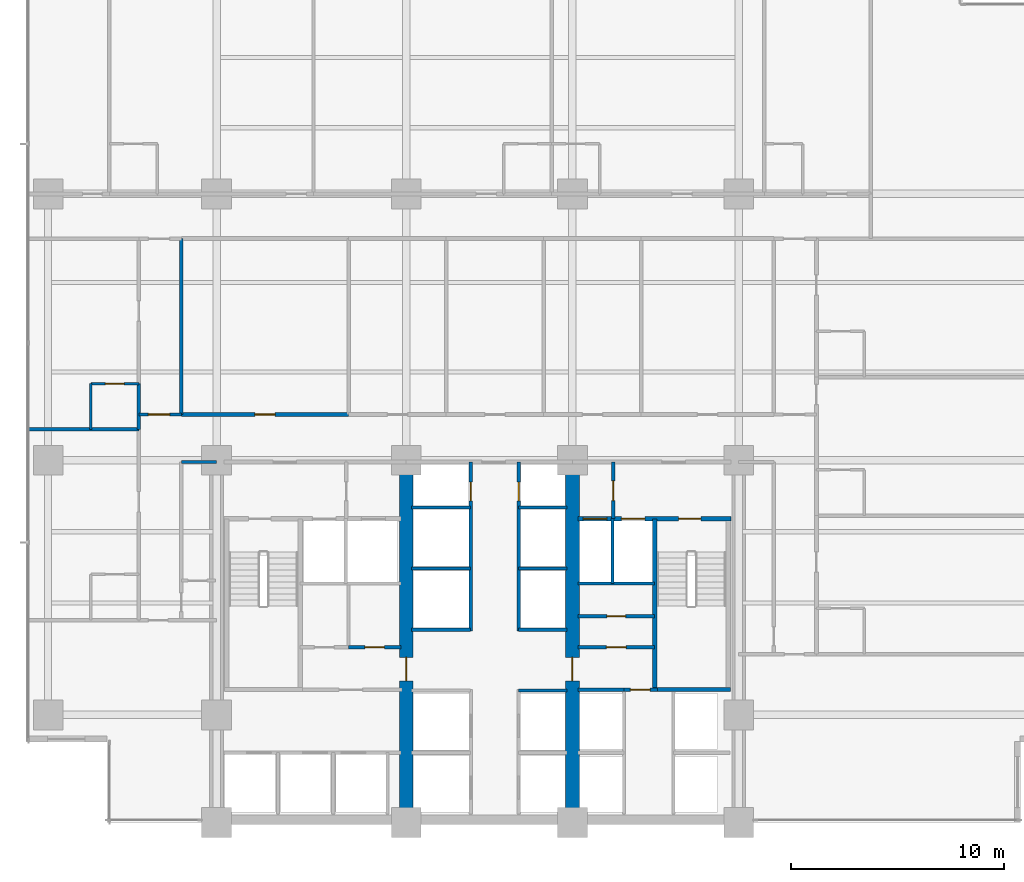
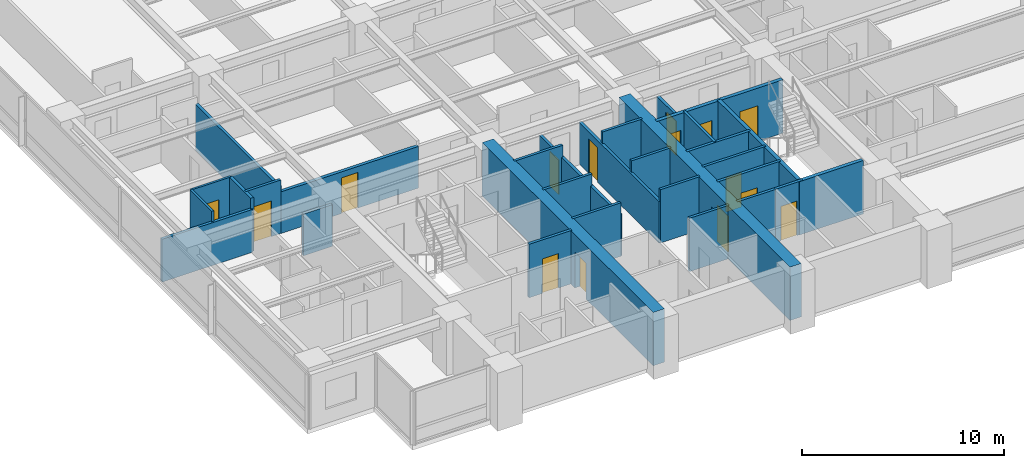
# One storey, part 8 of 17: 30 walls, 15 doors, 15 openings.
"""IFC4 building model written with IfcOpenShell, lengths in metres."""

from ifc_helpers import new_model, si_unit, direction, frame, frame_2d, origin, place, context, subcontext, project, spatial, rectangle, extrude, material, layer, layer_set, type_object, element, fill, save


model = new_model("IFC4")

# Units and contexts
model_context = context("Model", 3, precision=1e-05, world=origin(), true_north=direction((0.0, 1.0)))
body_context = subcontext(model_context, "Body", "Model", "MODEL_VIEW")
ifc_project = project(units=[si_unit("LENGTHUNIT", "METRE"), si_unit("AREAUNIT", "SQUARE_METRE"), si_unit("VOLUMEUNIT", "CUBIC_METRE"), si_unit("PLANEANGLEUNIT", "RADIAN"), si_unit("MASSUNIT", "GRAM", prefix="KILO")], contexts=[model_context])

# Site, building, storey
site_placement = place(None, origin())
site = spatial("IfcSite", under=ifc_project, at=site_placement, CompositionType="ELEMENT")
building_placement = place(site_placement, origin())
building = spatial("IfcBuilding", under=site, at=building_placement, Name="Qalmaran Belvedere Hotel", CompositionType="ELEMENT")
storey_placement = place(building_placement, frame((0.0, 0.0, 47.39990234375)))
storey = spatial("IfcBuildingStorey", under=building, at=storey_placement, Name="L11", CompositionType="ELEMENT", Elevation=47.39990234375)

# Wall, opening, door
ifc_material_1 = material(Name="Concrete C60/75", Category="concrete")
ifc_layer_1 = layer(ifc_material_1, 0.64990234375, Name="Concrete C60/75")
ifc_layer_set_1 = layer_set([ifc_layer_1], Name="Concrete C60/75")
wall_type_1 = type_object("IfcWallType", Name="WL-CORE-650-C60", PredefinedType="SHEAR", material=ifc_layer_set_1)
wall_1_placement = place(storey_placement, frame((29.199951171875, 3.5, 0.0), z_axis=(0.0, 0.0, 1.0), x_axis=(0.0, 1.0, 0.0)))
wall_1 = element("IfcWall", 1, at=wall_1_placement, inside=storey, type_object=wall_type_1, Name="L11 Core West Spine Shear Wall", PredefinedType="SHEAR", context=body_context, shape_type="SweptSolid", body=[
    extrude(rectangle(XDim=16.89990234375, YDim=0.64990234375, at=frame_2d((8.449951171875, 0.0))), origin(), (0.0, 0.0, 1.0), 3.22021484375),
])
opening_1_placement = place(wall_1_placement, frame((7.75, 0.0, 0.0), z_axis=(0.0, 0.0, 1.0), x_axis=(-1.0, 0.0, 0.0)))
opening_1 = element("IfcOpeningElement", 2, at=opening_1_placement, cuts=wall_1, Name="Opening FD90", PredefinedType="OPENING", context=body_context, shape_type="SweptSolid", body=[
    extrude(rectangle(XDim=1.10009765625, YDim=2.14990234375, at=frame_2d((0.550048828125, 1.074951171875))), frame((0.0, 0.3349609375, 0.0), z_axis=(0.0, -1.0, 0.0), x_axis=(1.0, 0.0, 0.0)), (0.0, 0.0, 1.0), 0.669921875),
])
ifc_material_2 = material(Name="Steel S355JR", Category="steel")
door_type_1 = type_object("IfcDoorType", Name="DR-FD90-1100X2150", OperationType="NOTDEFINED", PredefinedType="DOOR", material=ifc_material_2)
door_1_placement = place(opening_1_placement, origin())
door_1 = element("IfcDoor", 3, at=door_1_placement, inside=storey, type_object=door_type_1, Name="L11 Core West Cross-Lobby Door", OperationType="SINGLE_SWING_RIGHT", OverallHeight=2.14990234375, OverallWidth=1.10009765625, PredefinedType="DOOR", context=body_context, shape_type="SweptSolid", body=[
    extrude(rectangle(XDim=1.10009765625, YDim=2.14990234375, at=frame_2d((0.550048828125, 1.074951171875))), frame((0.0, 0.02490234375, 0.0), z_axis=(0.0, -1.0, 0.0), x_axis=(1.0, 0.0, 0.0)), (0.0, 0.0, 1.0), 0.050048828125),
])
fill(opening_1, door_1)

wall_2_placement = place(storey_placement, frame((37.0, 3.5, 0.0), z_axis=(0.0, 0.0, 1.0), x_axis=(0.0, 1.0, 0.0)))
wall_2 = element("IfcWall", 4, at=wall_2_placement, inside=storey, type_object=wall_type_1, Name="L11 Core East Spine Shear Wall", PredefinedType="SHEAR", context=body_context, shape_type="SweptSolid", body=[
    extrude(rectangle(XDim=16.89990234375, YDim=0.64990234375, at=frame_2d((8.449951171875, 0.0))), origin(), (0.0, 0.0, 1.0), 3.22021484375),
])
opening_2_placement = place(wall_2_placement, frame((6.64990234375, 0.0, 0.0)))
opening_2 = element("IfcOpeningElement", 5, at=opening_2_placement, cuts=wall_2, Name="Opening FD90", PredefinedType="OPENING", context=body_context, shape_type="SweptSolid", body=[
    extrude(rectangle(XDim=1.10009765625, YDim=2.14990234375, at=frame_2d((0.550048828125, 1.074951171875))), frame((0.0, 0.3349609375, 0.0), z_axis=(0.0, -1.0, 0.0), x_axis=(1.0, 0.0, 0.0)), (0.0, 0.0, 1.0), 0.669921875),
])
door_2_placement = place(opening_2_placement, origin())
door_2 = element("IfcDoor", 6, at=door_2_placement, inside=storey, type_object=door_type_1, Name="L11 Core East Cross-Lobby Door", OperationType="SINGLE_SWING_LEFT", OverallHeight=2.14990234375, OverallWidth=1.10009765625, PredefinedType="DOOR", context=body_context, shape_type="SweptSolid", body=[
    extrude(rectangle(XDim=1.10009765625, YDim=2.14990234375, at=frame_2d((0.550048828125, 1.074951171875))), frame((0.0, 0.02490234375, 0.0), z_axis=(0.0, -1.0, 0.0), x_axis=(1.0, 0.0, 0.0)), (0.0, 0.0, 1.0), 0.050048828125),
])
fill(opening_2, door_2)

ifc_material_3 = material(Name="Moisture-Resistant Gypsum")
ifc_layer_2 = layer(ifc_material_3, 0.1201171875, Name="Moisture-Resistant Gypsum")
ifc_layer_set_2 = layer_set([ifc_layer_2], Name="Moisture-Resistant Gypsum")
wall_type_2 = type_object("IfcWallType", Name="WL-INT-120-BATH", PredefinedType="PARTITIONING", material=ifc_layer_set_2)
wall_3_placement = place(storey_placement, frame((14.39990234375, 24.10009765625, 0.0), z_axis=(0.0, 0.0, 1.0), x_axis=(1.0, 0.0, 0.0)))
wall_3 = element("IfcWall", 7, at=wall_3_placement, inside=storey, type_object=wall_type_2, Name="L11 Partition WL-L11-WBN01", PredefinedType="PARTITIONING", context=body_context, shape_type="SweptSolid", body=[
    extrude(rectangle(XDim=2.25, YDim=0.1201171875, at=frame_2d((1.125, 0.0))), origin(), (0.0, 0.0, 1.0), 3.22021484375),
])
opening_3_placement = place(wall_3_placement, frame((1.56494140625, 0.0, 0.0), z_axis=(0.0, 0.0, 1.0), x_axis=(-1.0, 0.0, 0.0)))
opening_3 = element("IfcOpeningElement", 8, at=opening_3_placement, cuts=wall_3, Name="Opening D-BATH", PredefinedType="OPENING", context=body_context, shape_type="SweptSolid", body=[
    extrude(rectangle(XDim=0.8798828125, YDim=2.080078125, at=frame_2d((0.43994140625, 1.0400390625))), frame((0.0, 0.070068359375, 0.0), z_axis=(0.0, -1.0, 0.0), x_axis=(1.0, 0.0, 0.0)), (0.0, 0.0, 1.0), 0.14013671875),
])
ifc_material_4 = material(Name="Engineered Oak Veneer")
door_type_2 = type_object("IfcDoorType", Name="DR-INT-BATH-880X2080", OperationType="NOTDEFINED", PredefinedType="DOOR", material=ifc_material_4)
door_3_placement = place(opening_3_placement, origin())
door_3 = element("IfcDoor", 9, at=door_3_placement, inside=storey, type_object=door_type_2, Name="L11 W Ensuite Door 02", OperationType="SINGLE_SWING_RIGHT", OverallHeight=2.080078125, OverallWidth=0.8798828125, PredefinedType="DOOR", context=body_context, shape_type="SweptSolid", body=[
    extrude(rectangle(XDim=0.8798828125, YDim=2.080078125, at=frame_2d((0.43994140625, 1.0400390625))), frame((0.0, 0.02490234375, 0.0), z_axis=(0.0, -1.0, 0.0), x_axis=(1.0, 0.0, 0.0)), (0.0, 0.0, 1.0), 0.050048828125),
])
fill(opening_3, door_3)

# Walls
wall_4_placement = place(storey_placement, frame((14.39990234375, 21.949951171875, 0.0), z_axis=(0.0, 0.0, 1.0), x_axis=(0.0, 1.0, 0.0)))
element("IfcWall", 10, at=wall_4_placement, inside=storey, type_object=wall_type_2, Name="L11 Partition WL-L11-WBS01", PredefinedType="PARTITIONING", context=body_context, shape_type="SweptSolid", body=[
    extrude(rectangle(XDim=2.150146484375, YDim=0.1201171875, at=frame_2d((1.0751953125, 0.0))), origin(), (0.0, 0.0, 1.0), 3.22021484375),
])
ifc_material_5 = material(Name="Gypsum Stud Partition")
ifc_layer_3 = layer(ifc_material_5, 0.14990234375, Name="Gypsum Stud Partition")
ifc_layer_set_3 = layer_set([ifc_layer_3], Name="Gypsum Stud Partition")
wall_type_3 = type_object("IfcWallType", Name="WL-INT-150-EI120", PredefinedType="PARTITIONING", material=ifc_layer_set_3)
wall_5_placement = place(storey_placement, frame((38.8798828125, 14.719970703125, 0.0), z_axis=(0.0, 0.0, 1.0), x_axis=(0.0, 1.0, 0.0)))
element("IfcWall", 11, at=wall_5_placement, inside=storey, type_object=wall_type_3, Name="L11 Partition WL-FF2M-L11", PredefinedType="PARTITIONING", context=body_context, shape_type="SweptSolid", body=[
    extrude(rectangle(XDim=3.0400390625, YDim=0.14990234375, at=frame_2d((1.52001953125, 0.0))), origin(), (0.0, 0.0, 1.0), 3.22021484375),
])
wall_6_placement = place(storey_placement, frame((34.47998046875, 9.699951171875, 0.0), z_axis=(0.0, 0.0, 1.0), x_axis=(1.0, 0.0, 0.0)))
element("IfcWall", 12, at=wall_6_placement, inside=storey, type_object=wall_type_3, Name="L11 Partition WL-PLE-L11-97", PredefinedType="PARTITIONING", context=body_context, shape_type="SweptSolid", body=[
    extrude(rectangle(XDim=2.27001953125, YDim=0.14990234375, at=frame_2d((1.135009765625, 0.0))), origin(), (0.0, 0.0, 1.0), 3.22021484375),
])
wall_7_placement = place(storey_placement, frame((29.449951171875, 12.550048828125, 0.0), z_axis=(0.0, 0.0, 1.0), x_axis=(1.0, 0.0, 0.0)))
element("IfcWall", 13, at=wall_7_placement, inside=storey, type_object=wall_type_3, Name="L11 Partition WL-PMW-L11-125", PredefinedType="PARTITIONING", context=body_context, shape_type="SweptSolid", body=[
    extrude(rectangle(XDim=2.77001953125, YDim=0.14990234375, at=frame_2d((1.385009765625, 0.0))), origin(), (0.0, 0.0, 1.0), 3.22021484375),
])
wall_8_placement = place(storey_placement, frame((34.47998046875, 12.550048828125, 0.0), z_axis=(0.0, 0.0, 1.0), x_axis=(1.0, 0.0, 0.0)))
element("IfcWall", 14, at=wall_8_placement, inside=storey, type_object=wall_type_3, Name="L11 Partition WL-PME-L11-125", PredefinedType="PARTITIONING", context=body_context, shape_type="SweptSolid", body=[
    extrude(rectangle(XDim=2.27001953125, YDim=0.14990234375, at=frame_2d((1.135009765625, 0.0))), origin(), (0.0, 0.0, 1.0), 3.22021484375),
])
wall_9_placement = place(storey_placement, frame((29.449951171875, 15.419921875, 0.0), z_axis=(0.0, 0.0, 1.0), x_axis=(1.0, 0.0, 0.0)))
element("IfcWall", 15, at=wall_9_placement, inside=storey, type_object=wall_type_3, Name="L11 Partition WL-PMW-L11-154", PredefinedType="PARTITIONING", context=body_context, shape_type="SweptSolid", body=[
    extrude(rectangle(XDim=2.77001953125, YDim=0.14990234375, at=frame_2d((1.385009765625, 0.0))), origin(), (0.0, 0.0, 1.0), 3.22021484375),
])
wall_10_placement = place(storey_placement, frame((34.47998046875, 15.419921875, 0.0), z_axis=(0.0, 0.0, 1.0), x_axis=(1.0, 0.0, 0.0)))
element("IfcWall", 16, at=wall_10_placement, inside=storey, type_object=wall_type_3, Name="L11 Partition WL-PME-L11-154", PredefinedType="PARTITIONING", context=body_context, shape_type="SweptSolid", body=[
    extrude(rectangle(XDim=2.27001953125, YDim=0.14990234375, at=frame_2d((1.135009765625, 0.0))), origin(), (0.0, 0.0, 1.0), 3.22021484375),
])
wall_11_placement = place(storey_placement, frame((29.449951171875, 18.280029296875, 0.0), z_axis=(0.0, 0.0, 1.0), x_axis=(1.0, 0.0, 0.0)))
element("IfcWall", 17, at=wall_11_placement, inside=storey, type_object=wall_type_3, Name="L11 Partition WL-PMW-L11-182", PredefinedType="PARTITIONING", context=body_context, shape_type="SweptSolid", body=[
    extrude(rectangle(XDim=2.77001953125, YDim=0.14990234375, at=frame_2d((1.385009765625, 0.0))), origin(), (0.0, 0.0, 1.0), 3.22021484375),
])
wall_12_placement = place(storey_placement, frame((34.47998046875, 18.280029296875, 0.0), z_axis=(0.0, 0.0, 1.0), x_axis=(1.0, 0.0, 0.0)))
element("IfcWall", 18, at=wall_12_placement, inside=storey, type_object=wall_type_3, Name="L11 Partition WL-PME-L11-182", PredefinedType="PARTITIONING", context=body_context, shape_type="SweptSolid", body=[
    extrude(rectangle(XDim=2.27001953125, YDim=0.14990234375, at=frame_2d((1.135009765625, 0.0))), origin(), (0.0, 0.0, 1.0), 3.22021484375),
])

# Wall, opening, door
ifc_layer_4 = layer(ifc_material_5, 0.14990234375, Name="Gypsum Stud Partition")
ifc_layer_set_4 = layer_set([ifc_layer_4], Name="Gypsum Stud Partition")
wall_type_4 = type_object("IfcWallType", Name="WL-INT-150-EI60", PredefinedType="PARTITIONING", material=ifc_layer_set_4)
wall_13_placement = place(storey_placement, frame((37.25, 13.18505859375, 0.0), z_axis=(0.0, 0.0, 1.0), x_axis=(1.0, 0.0, 0.0)))
wall_13 = element("IfcWall", 19, at=wall_13_placement, inside=storey, type_object=wall_type_4, Name="L11 Partition WL-L11-KEHM", PredefinedType="PARTITIONING", context=body_context, shape_type="SweptSolid", body=[
    extrude(rectangle(XDim=3.610107421875, YDim=0.14990234375, at=frame_2d((1.80517578125, 0.0))), origin(), (0.0, 0.0, 1.0), 3.22021484375),
])
opening_4_placement = place(wall_13_placement, frame((1.364990234375, 0.0, 0.0)))
opening_4 = element("IfcOpeningElement", 20, at=opening_4_placement, cuts=wall_13, Name="Opening FD60B", PredefinedType="OPENING", context=body_context, shape_type="SweptSolid", body=[
    extrude(rectangle(XDim=0.8798828125, YDim=2.080078125, at=frame_2d((0.43994140625, 1.0400390625))), frame((0.0, 0.0849609375, 0.0), z_axis=(0.0, -1.0, 0.0), x_axis=(1.0, 0.0, 0.0)), (0.0, 0.0, 1.0), 0.169921875),
])
door_type_3 = type_object("IfcDoorType", Name="DR-FD60B-880X2080", OperationType="NOTDEFINED", PredefinedType="DOOR", material=ifc_material_2)
door_4_placement = place(opening_4_placement, origin())
door_4 = element("IfcDoor", 21, at=door_4_placement, inside=storey, type_object=door_type_3, Name="L11 Hotel Linen Closet Door", OperationType="SINGLE_SWING_RIGHT", OverallHeight=2.080078125, OverallWidth=0.8798828125, PredefinedType="DOOR", context=body_context, shape_type="SweptSolid", body=[
    extrude(rectangle(XDim=0.8798828125, YDim=2.080078125, at=frame_2d((0.43994140625, 1.0400390625))), frame((0.0, 0.02490234375, 0.0), z_axis=(0.0, -1.0, 0.0), x_axis=(1.0, 0.0, 0.0)), (0.0, 0.0, 1.0), 0.050048828125),
])
fill(opening_4, door_4)

wall_14_placement = place(storey_placement, frame((16.64990234375, 22.64990234375, 0.0), z_axis=(0.0, 0.0, 1.0), x_axis=(1.0, 0.0, 0.0)))
wall_14 = element("IfcWall", 22, at=wall_14_placement, inside=storey, type_object=wall_type_4, Name="L11 Partition WL-L11-XCW1", PredefinedType="PARTITIONING", context=body_context, shape_type="SweptSolid", body=[
    extrude(rectangle(XDim=2.0, YDim=0.14990234375, at=frame_2d((1.0, 0.0))), origin(), (0.0, 0.0, 1.0), 3.22021484375),
])
opening_5_placement = place(wall_14_placement, frame((0.449951171875, 0.0, 0.0)))
opening_5 = element("IfcOpeningElement", 23, at=opening_5_placement, cuts=wall_14, Name="Opening FD90B", PredefinedType="OPENING", context=body_context, shape_type="SweptSolid", body=[
    extrude(rectangle(XDim=1.0, YDim=2.14990234375, at=frame_2d((0.5, 1.074951171875))), frame((0.0, 0.0849609375, 0.0), z_axis=(0.0, -1.0, 0.0), x_axis=(1.0, 0.0, 0.0)), (0.0, 0.0, 1.0), 0.169921875),
])
door_type_4 = type_object("IfcDoorType", Name="DR-FD90B-1000X2150", OperationType="NOTDEFINED", PredefinedType="DOOR", material=ifc_material_2)
door_5_placement = place(opening_5_placement, origin())
door_5 = element("IfcDoor", 24, at=door_5_placement, inside=storey, type_object=door_type_4, Name="L11 West Corridor Smoke Door S", OperationType="SINGLE_SWING_LEFT", OverallHeight=2.14990234375, OverallWidth=1.0, PredefinedType="DOOR", context=body_context, shape_type="SweptSolid", body=[
    extrude(rectangle(XDim=1.0, YDim=2.14990234375, at=frame_2d((0.5, 1.074951171875))), frame((0.0, 0.02490234375, 0.0), z_axis=(0.0, -1.0, 0.0), x_axis=(1.0, 0.0, 0.0)), (0.0, 0.0, 1.0), 0.050048828125),
])
fill(opening_5, door_5)

ifc_layer_5 = layer(ifc_material_5, 0.159912109375, Name="Gypsum Stud Partition")
ifc_layer_set_5 = layer_set([ifc_layer_5], Name="Gypsum Stud Partition")
wall_type_5 = type_object("IfcWallType", Name="WL-INT-160-EI120", PredefinedType="PARTITIONING", material=ifc_layer_set_5)
wall_15_placement = place(storey_placement, frame((38.919921875, 17.760009765625, 0.0), z_axis=(0.0, 0.0, 1.0), x_axis=(0.0, 1.0, 0.0)))
wall_15 = element("IfcWall", 25, at=wall_15_placement, inside=storey, type_object=wall_type_5, Name="L11 Partition WL-FFSV2-L11", PredefinedType="PARTITIONING", context=body_context, shape_type="SweptSolid", body=[
    extrude(rectangle(XDim=2.659912109375, YDim=0.159912109375, at=frame_2d((1.330078125, 0.0))), origin(), (0.0, 0.0, 1.0), 2.510009765625),
])
opening_6_placement = place(wall_15_placement, frame((1.77001953125, 0.0, 0.0), z_axis=(0.0, 0.0, 1.0), x_axis=(-1.0, 0.0, 0.0)))
opening_6 = element("IfcOpeningElement", 26, at=opening_6_placement, cuts=wall_15, Name="Opening FD60S1", PredefinedType="OPENING", context=body_context, shape_type="SweptSolid", body=[
    extrude(rectangle(XDim=0.919921875, YDim=2.080078125, at=frame_2d((0.4599609375, 1.0400390625))), frame((0.0, 0.08984375, 0.0), z_axis=(0.0, -1.0, 0.0), x_axis=(1.0, 0.0, 0.0)), (0.0, 0.0, 1.0), 0.179931640625),
])
door_type_5 = type_object("IfcDoorType", Name="DR-FD60S-920X2080", OperationType="NOTDEFINED", PredefinedType="DOOR", material=ifc_material_4)
door_6_placement = place(opening_6_placement, origin())
door_6 = element("IfcDoor", 27, at=door_6_placement, inside=storey, type_object=door_type_5, Name="L11 Service Lobby East Door", OperationType="SINGLE_SWING_LEFT", OverallHeight=2.080078125, OverallWidth=0.919921875, PredefinedType="DOOR", context=body_context, shape_type="SweptSolid", body=[
    extrude(rectangle(XDim=0.919921875, YDim=2.080078125, at=frame_2d((0.4599609375, 1.0400390625))), frame((0.0, 0.02490234375, 0.0), z_axis=(0.0, -1.0, 0.0), x_axis=(1.0, 0.0, 0.0)), (0.0, 0.0, 1.0), 0.050048828125),
])
fill(opening_6, door_6)

# Walls
wall_16_placement = place(storey_placement, frame((37.25, 14.719970703125, 0.0), z_axis=(0.0, 0.0, 1.0), x_axis=(1.0, 0.0, 0.0)))
element("IfcWall", 28, at=wall_16_placement, inside=storey, type_object=wall_type_5, Name="L11 Partition WL-FF2S-L11", PredefinedType="PARTITIONING", context=body_context, shape_type="SweptSolid", body=[
    extrude(rectangle(XDim=3.610107421875, YDim=0.159912109375, at=frame_2d((1.80517578125, 0.0))), origin(), (0.0, 0.0, 1.0), 3.22021484375),
])
wall_17_placement = place(storey_placement, frame((37.25, 9.739990234375, 0.0), z_axis=(0.0, 0.0, 1.0), x_axis=(1.0, 0.0, 0.0)))
element("IfcWall", 29, at=wall_17_placement, inside=storey, type_object=wall_type_5, Name="L11 Partition WL-PHNW-L11", PredefinedType="PARTITIONING", context=body_context, shape_type="SweptSolid", body=[
    extrude(rectangle(XDim=2.169921875, YDim=0.159912109375, at=frame_2d((1.0849609375, 0.0))), origin(), (0.0, 0.0, 1.0), 3.22021484375),
])

# Wall, opening, door
wall_18_placement = place(storey_placement, frame((39.419921875, 9.739990234375, 0.0), z_axis=(0.0, 0.0, 1.0), x_axis=(1.0, 0.0, 0.0)))
wall_18 = element("IfcWall", 30, at=wall_18_placement, inside=storey, type_object=wall_type_5, Name="L11 Partition WL-PHNL-L11", PredefinedType="PARTITIONING", context=body_context, shape_type="SweptSolid", body=[
    extrude(rectangle(XDim=1.56005859375, YDim=0.159912109375, at=frame_2d((0.780029296875, 0.0))), origin(), (0.0, 0.0, 1.0), 3.22021484375),
])
opening_7_placement = place(wall_18_placement, frame((0.300048828125, 0.0, 0.0)))
opening_7 = element("IfcOpeningElement", 31, at=opening_7_placement, cuts=wall_18, Name="Opening FD60S1", PredefinedType="OPENING", context=body_context, shape_type="SweptSolid", body=[
    extrude(rectangle(XDim=0.919921875, YDim=2.080078125, at=frame_2d((0.4599609375, 1.0400390625))), frame((0.0, 0.08984375, 0.0), z_axis=(0.0, -1.0, 0.0), x_axis=(1.0, 0.0, 0.0)), (0.0, 0.0, 1.0), 0.179931640625),
])
door_7_placement = place(opening_7_placement, origin())
door_7 = element("IfcDoor", 32, at=door_7_placement, inside=storey, type_object=door_type_5, Name="L11 High-Rise Lift Lobby Passage Door", OperationType="SINGLE_SWING_RIGHT", OverallHeight=2.080078125, OverallWidth=0.919921875, PredefinedType="DOOR", context=body_context, shape_type="SweptSolid", body=[
    extrude(rectangle(XDim=0.919921875, YDim=2.080078125, at=frame_2d((0.4599609375, 1.0400390625))), frame((0.0, 0.02490234375, 0.0), z_axis=(0.0, -1.0, 0.0), x_axis=(1.0, 0.0, 0.0)), (0.0, 0.0, 1.0), 0.050048828125),
])
fill(opening_7, door_7)

wall_19_placement = place(storey_placement, frame((32.219970703125, 12.5, 0.0), z_axis=(0.0, 0.0, 1.0), x_axis=(0.0, 1.0, 0.0)))
wall_19 = element("IfcWall", 33, at=wall_19_placement, inside=storey, type_object=wall_type_5, Name="L11 Partition WL-CLBWN-L11", PredefinedType="PARTITIONING", context=body_context, shape_type="SweptSolid", body=[
    extrude(rectangle(XDim=7.919921875, YDim=0.159912109375, at=frame_2d((3.9599609375, 0.0))), origin(), (0.0, 0.0, 1.0), 2.510009765625),
])
opening_8_placement = place(wall_19_placement, frame((6.10009765625, 0.0, 0.0)))
opening_8 = element("IfcOpeningElement", 34, at=opening_8_placement, cuts=wall_19, Name="Opening FD60B", PredefinedType="OPENING", context=body_context, shape_type="SweptSolid", body=[
    extrude(rectangle(XDim=0.8798828125, YDim=2.080078125, at=frame_2d((0.43994140625, 1.0400390625))), frame((0.0, 0.08984375, 0.0), z_axis=(0.0, -1.0, 0.0), x_axis=(1.0, 0.0, 0.0)), (0.0, 0.0, 1.0), 0.179931640625),
])
door_8_placement = place(opening_8_placement, origin())
door_8 = element("IfcDoor", 35, at=door_8_placement, inside=storey, type_object=door_type_3, Name="L11 West Riser Access Door", OperationType="SINGLE_SWING_LEFT", OverallHeight=2.080078125, OverallWidth=0.8798828125, PredefinedType="DOOR", context=body_context, shape_type="SweptSolid", body=[
    extrude(rectangle(XDim=0.8798828125, YDim=2.080078125, at=frame_2d((0.43994140625, 1.0400390625))), frame((0.0, 0.02490234375, 0.0), z_axis=(0.0, -1.0, 0.0), x_axis=(1.0, 0.0, 0.0)), (0.0, 0.0, 1.0), 0.050048828125),
])
fill(opening_8, door_8)

wall_20_placement = place(storey_placement, frame((34.47998046875, 12.5, 0.0), z_axis=(0.0, 0.0, 1.0), x_axis=(0.0, 1.0, 0.0)))
wall_20 = element("IfcWall", 36, at=wall_20_placement, inside=storey, type_object=wall_type_5, Name="L11 Partition WL-CLBEN-L11", PredefinedType="PARTITIONING", context=body_context, shape_type="SweptSolid", body=[
    extrude(rectangle(XDim=7.919921875, YDim=0.159912109375, at=frame_2d((3.9599609375, 0.0))), origin(), (0.0, 0.0, 1.0), 2.510009765625),
])
opening_9_placement = place(wall_20_placement, frame((6.97998046875, 0.0, 0.0), z_axis=(0.0, 0.0, 1.0), x_axis=(-1.0, 0.0, 0.0)))
opening_9 = element("IfcOpeningElement", 37, at=opening_9_placement, cuts=wall_20, Name="Opening FD60B", PredefinedType="OPENING", context=body_context, shape_type="SweptSolid", body=[
    extrude(rectangle(XDim=0.8798828125, YDim=2.080078125, at=frame_2d((0.43994140625, 1.0400390625))), frame((0.0, 0.08984375, 0.0), z_axis=(0.0, -1.0, 0.0), x_axis=(1.0, 0.0, 0.0)), (0.0, 0.0, 1.0), 0.179931640625),
])
door_9_placement = place(opening_9_placement, origin())
door_9 = element("IfcDoor", 38, at=door_9_placement, inside=storey, type_object=door_type_3, Name="L11 East Riser Access Door", OperationType="SINGLE_SWING_RIGHT", OverallHeight=2.080078125, OverallWidth=0.8798828125, PredefinedType="DOOR", context=body_context, shape_type="SweptSolid", body=[
    extrude(rectangle(XDim=0.8798828125, YDim=2.080078125, at=frame_2d((0.43994140625, 1.0400390625))), frame((0.0, 0.02490234375, 0.0), z_axis=(0.0, -1.0, 0.0), x_axis=(1.0, 0.0, 0.0)), (0.0, 0.0, 1.0), 0.050048828125),
])
fill(opening_9, door_9)

ifc_layer_6 = layer(ifc_material_5, 0.159912109375, Name="Gypsum Stud Partition")
ifc_layer_set_6 = layer_set([ifc_layer_6], Name="Gypsum Stud Partition")
wall_type_6 = type_object("IfcWallType", Name="WL-INT-160-EI60", PredefinedType="PARTITIONING", material=ifc_layer_set_6)
wall_21_placement = place(storey_placement, frame((26.490478515625, 11.719970703125, 0.0), z_axis=(0.0, 0.0, 1.0), x_axis=(1.0, 0.0, 0.0)))
wall_21 = element("IfcWall", 39, at=wall_21_placement, inside=storey, type_object=wall_type_6, Name="L11 Partition WL-L11-KWE2", PredefinedType="PARTITIONING", context=body_context, shape_type="SweptSolid", body=[
    extrude(rectangle(XDim=2.45947265625, YDim=0.159912109375, at=frame_2d((1.229736328125, 0.0))), origin(), (0.0, 0.0, 1.0), 3.22021484375),
])
opening_10_placement = place(wall_21_placement, frame((0.769775390625, 0.0, 0.0)))
opening_10 = element("IfcOpeningElement", 40, at=opening_10_placement, cuts=wall_21, Name="Opening FD60S1", PredefinedType="OPENING", context=body_context, shape_type="SweptSolid", body=[
    extrude(rectangle(XDim=0.919921875, YDim=2.080078125, at=frame_2d((0.4599609375, 1.0400390625))), frame((0.0, 0.08984375, 0.0), z_axis=(0.0, -1.0, 0.0), x_axis=(1.0, 0.0, 0.0)), (0.0, 0.0, 1.0), 0.179931640625),
])
door_10_placement = place(opening_10_placement, origin())
door_10 = element("IfcDoor", 41, at=door_10_placement, inside=storey, type_object=door_type_5, Name="L11 Cleaner Supply Store Door", OperationType="SINGLE_SWING_RIGHT", OverallHeight=2.080078125, OverallWidth=0.919921875, PredefinedType="DOOR", context=body_context, shape_type="SweptSolid", body=[
    extrude(rectangle(XDim=0.919921875, YDim=2.080078125, at=frame_2d((0.4599609375, 1.0400390625))), frame((0.0, 0.02490234375, 0.0), z_axis=(0.0, -1.0, 0.0), x_axis=(1.0, 0.0, 0.0)), (0.0, 0.0, 1.0), 0.050048828125),
])
fill(opening_10, door_10)

wall_22_placement = place(storey_placement, frame((37.25, 11.719970703125, 0.0), z_axis=(0.0, 0.0, 1.0), x_axis=(1.0, 0.0, 0.0)))
wall_22 = element("IfcWall", 42, at=wall_22_placement, inside=storey, type_object=wall_type_6, Name="L11 Partition WL-L11-KEE1", PredefinedType="PARTITIONING", context=body_context, shape_type="SweptSolid", body=[
    extrude(rectangle(XDim=3.610107421875, YDim=0.159912109375, at=frame_2d((1.80517578125, 0.0))), origin(), (0.0, 0.0, 1.0), 3.22021484375),
])
opening_11_placement = place(wall_22_placement, frame((1.344970703125, 0.0, 0.0)))
opening_11 = element("IfcOpeningElement", 43, at=opening_11_placement, cuts=wall_22, Name="Opening FD60S1", PredefinedType="OPENING", context=body_context, shape_type="SweptSolid", body=[
    extrude(rectangle(XDim=0.919921875, YDim=2.080078125, at=frame_2d((0.4599609375, 1.0400390625))), frame((0.0, 0.08984375, 0.0), z_axis=(0.0, -1.0, 0.0), x_axis=(1.0, 0.0, 0.0)), (0.0, 0.0, 1.0), 0.179931640625),
])
door_11_placement = place(opening_11_placement, origin())
door_11 = element("IfcDoor", 44, at=door_11_placement, inside=storey, type_object=door_type_5, Name="L11 Low Voltage Switch Room Door", OperationType="SINGLE_SWING_LEFT", OverallHeight=2.080078125, OverallWidth=0.919921875, PredefinedType="DOOR", context=body_context, shape_type="SweptSolid", body=[
    extrude(rectangle(XDim=0.919921875, YDim=2.080078125, at=frame_2d((0.4599609375, 1.0400390625))), frame((0.0, 0.02490234375, 0.0), z_axis=(0.0, -1.0, 0.0), x_axis=(1.0, 0.0, 0.0)), (0.0, 0.0, 1.0), 0.050048828125),
])
fill(opening_11, door_11)

# Walls
wall_23_placement = place(storey_placement, frame((18.64990234375, 20.419921875, 0.0), z_axis=(0.0, 0.0, 1.0), x_axis=(1.0, 0.0, 0.0)))
element("IfcWall", 45, at=wall_23_placement, inside=storey, type_object=wall_type_6, Name="L11 Partition WL-L11-WCLN", PredefinedType="PARTITIONING", context=body_context, shape_type="SweptSolid", body=[
    extrude(rectangle(XDim=1.650146484375, YDim=0.159912109375, at=frame_2d((0.8251953125, 0.0))), origin(), (0.0, 0.0, 1.0), 2.510009765625),
])
wall_24_placement = place(storey_placement, frame((18.64990234375, 22.64990234375, 0.0), z_axis=(0.0, 0.0, 1.0), x_axis=(0.0, 1.0, 0.0)))
element("IfcWall", 46, at=wall_24_placement, inside=storey, type_object=wall_type_6, Name="L11 Partition WL-L11-MIDVL", PredefinedType="PARTITIONING", context=body_context, shape_type="SweptSolid", body=[
    extrude(rectangle(XDim=8.25, YDim=0.159912109375, at=frame_2d((4.125, 0.0))), origin(), (0.0, 0.0, 1.0), 2.7880859375),
])
wall_25_placement = place(storey_placement, frame((11.469970703125, 21.949951171875, 0.0), z_axis=(0.0, 0.0, 1.0), x_axis=(1.0, 0.0, 0.0)))
element("IfcWall", 47, at=wall_25_placement, inside=storey, type_object=wall_type_6, Name="L11 Partition WL-L11-WU00", PredefinedType="PARTITIONING", context=body_context, shape_type="SweptSolid", body=[
    extrude(rectangle(XDim=5.179931640625, YDim=0.159912109375, at=frame_2d((2.58984375, 0.0))), origin(), (0.0, 0.0, 1.0), 2.5830078125),
])

# Wall, opening, door
ifc_layer_7 = layer(ifc_material_5, 0.179931640625, Name="Gypsum Stud Partition")
ifc_layer_set_7 = layer_set([ifc_layer_7], Name="Gypsum Stud Partition")
wall_type_7 = type_object("IfcWallType", Name="WL-INT-180-EI60", PredefinedType="PARTITIONING", material=ifc_layer_set_7)
wall_26_placement = place(storey_placement, frame((18.64990234375, 22.64990234375, 0.0), z_axis=(0.0, 0.0, 1.0), x_axis=(1.0, 0.0, 0.0)))
wall_26 = element("IfcWall", 48, at=wall_26_placement, inside=storey, type_object=wall_type_7, Name="L11 Partition WL-L11-MIDD1", PredefinedType="PARTITIONING", context=body_context, shape_type="SweptSolid", body=[
    extrude(rectangle(XDim=7.85009765625, YDim=0.179931640625, at=frame_2d((3.925048828125, 0.0))), origin(), (0.0, 0.0, 1.0), 2.510009765625),
])
opening_12_placement = place(wall_26_placement, frame((3.449951171875, 0.0, 0.0)))
opening_12 = element("IfcOpeningElement", 49, at=opening_12_placement, cuts=wall_26, Name="Opening FD60", PredefinedType="OPENING", context=body_context, shape_type="SweptSolid", body=[
    extrude(rectangle(XDim=0.949951171875, YDim=2.14990234375, at=frame_2d((0.47509765625, 1.074951171875))), frame((0.0, 0.10009765625, 0.0), z_axis=(0.0, -1.0, 0.0), x_axis=(1.0, 0.0, 0.0)), (0.0, 0.0, 1.0), 0.199951171875),
])
door_type_6 = type_object("IfcDoorType", Name="DR-FD60-950X2150", OperationType="NOTDEFINED", PredefinedType="DOOR", material=ifc_material_4)
door_12_placement = place(opening_12_placement, origin())
door_12 = element("IfcDoor", 50, at=door_12_placement, inside=storey, type_object=door_type_6, Name="L11 Housekeeping and Linen Room Door", OperationType="SINGLE_SWING_LEFT", OverallHeight=2.14990234375, OverallWidth=0.949951171875, PredefinedType="DOOR", context=body_context, shape_type="SweptSolid", body=[
    extrude(rectangle(XDim=0.949951171875, YDim=2.14990234375, at=frame_2d((0.47509765625, 1.074951171875))), frame((0.0, 0.02490234375, 0.0), z_axis=(0.0, -1.0, 0.0), x_axis=(1.0, 0.0, 0.0)), (0.0, 0.0, 1.0), 0.050048828125),
])
fill(opening_12, door_12)

# Walls
wall_27_placement = place(storey_placement, frame((16.64990234375, 21.949951171875, 0.0), z_axis=(0.0, 0.0, 1.0), x_axis=(0.0, 1.0, 0.0)))
element("IfcWall", 51, at=wall_27_placement, inside=storey, type_object=wall_type_7, Name="L11 Partition WL-L11-WBC01", PredefinedType="PARTITIONING", context=body_context, shape_type="SweptSolid", body=[
    extrude(rectangle(XDim=2.150146484375, YDim=0.179931640625, at=frame_2d((1.0751953125, 0.0))), origin(), (0.0, 0.0, 1.0), 3.22021484375),
])
ifc_material_6 = material(Name="Concrete C50/60", Category="concrete")
ifc_layer_8 = layer(ifc_material_6, 0.2099609375, Name="Concrete C50/60")
ifc_layer_set_8 = layer_set([ifc_layer_8], Name="Concrete C50/60")
wall_type_8 = type_object("IfcWallType", Name="WL-STAIR-210-C50", PredefinedType="SHEAR", material=ifc_layer_set_8)
wall_28_placement = place(storey_placement, frame((40.85498046875, 9.7451171875, 0.0), z_axis=(0.0, 0.0, 1.0), x_axis=(0.0, 1.0, 0.0)))
element("IfcWall", 52, at=wall_28_placement, inside=storey, type_object=wall_type_8, Name="L11 Stair ST-2 West Bearing Wall", PredefinedType="SHEAR", context=body_context, shape_type="SweptSolid", body=[
    extrude(rectangle(XDim=8.009765625, YDim=0.2099609375, at=frame_2d((4.0048828125, 0.0))), origin(), (0.0, 0.0, 1.0), 3.22021484375),
])
wall_29_placement = place(storey_placement, frame((40.75, 9.7451171875, 0.0), z_axis=(0.0, 0.0, 1.0), x_axis=(1.0, 0.0, 0.0)))
element("IfcWall", 53, at=wall_29_placement, inside=storey, type_object=wall_type_8, Name="L11 Stair ST-2 South Bearing Wall", PredefinedType="SHEAR", context=body_context, shape_type="SweptSolid", body=[
    extrude(rectangle(XDim=3.659912109375, YDim=0.2099609375, at=frame_2d((1.830078125, 0.0))), origin(), (0.0, 0.0, 1.0), 3.22021484375),
])

# Wall, openings, doors
wall_30_placement = place(storey_placement, frame((37.25, 17.7548828125, 0.0), z_axis=(0.0, 0.0, 1.0), x_axis=(1.0, 0.0, 0.0)))
wall_30 = element("IfcWall", 54, at=wall_30_placement, inside=storey, type_object=wall_type_8, Name="L11 East Lobby and Stair ST-2 North Bearing Wall", PredefinedType="SHEAR", context=body_context, shape_type="SweptSolid", body=[
    extrude(rectangle(XDim=7.199951171875, YDim=0.2099609375, at=frame_2d((3.60009765625, 0.0))), origin(), (0.0, 0.0, 1.0), 3.22021484375),
])
opening_13_placement = place(wall_30_placement, frame((0.25, 0.0, 0.0)))
opening_13 = element("IfcOpeningElement", 55, at=opening_13_placement, cuts=wall_30, Name="Opening LD-SV", PredefinedType="OPENING", context=body_context, shape_type="SweptSolid", body=[
    extrude(rectangle(XDim=1.1201171875, YDim=2.199951171875, at=frame_2d((0.56005859375, 1.10009765625))), frame((0.0, 0.114990234375, 0.0), z_axis=(0.0, -1.0, 0.0), x_axis=(1.0, 0.0, 0.0)), (0.0, 0.0, 1.0), 0.22998046875),
])
opening_14_placement = place(wall_30_placement, frame((2.050048828125, 0.0, 0.0)))
opening_14 = element("IfcOpeningElement", 56, at=opening_14_placement, cuts=wall_30, Name="Opening LD-FF", PredefinedType="OPENING", context=body_context, shape_type="SweptSolid", body=[
    extrude(rectangle(XDim=1.10009765625, YDim=2.179931640625, at=frame_2d((0.550048828125, 1.08984375))), frame((0.0, 0.114990234375, 0.0), z_axis=(0.0, -1.0, 0.0), x_axis=(1.0, 0.0, 0.0)), (0.0, 0.0, 1.0), 0.22998046875),
])
opening_15_placement = place(wall_30_placement, frame((5.780029296875, 0.0, 0.0), z_axis=(0.0, 0.0, 1.0), x_axis=(-1.0, 0.0, 0.0)))
opening_15 = element("IfcOpeningElement", 57, at=opening_15_placement, cuts=wall_30, Name="Opening FD90S2", PredefinedType="OPENING", context=body_context, shape_type="SweptSolid", body=[
    extrude(rectangle(XDim=1.050048828125, YDim=2.14990234375, at=frame_2d((0.52490234375, 1.074951171875))), frame((0.0, 0.114990234375, 0.0), z_axis=(0.0, -1.0, 0.0), x_axis=(1.0, 0.0, 0.0)), (0.0, 0.0, 1.0), 0.22998046875),
])
door_type_7 = type_object("IfcDoorType", Name="DR-FD90S-1050X2150", OperationType="NOTDEFINED", PredefinedType="DOOR", material=ifc_material_2)
door_13_placement = place(opening_15_placement, origin())
door_13 = element("IfcDoor", 58, at=door_13_placement, inside=storey, type_object=door_type_7, Name="L11 Stair ST-2 Door", OperationType="SINGLE_SWING_LEFT", OverallHeight=2.14990234375, OverallWidth=1.050048828125, PredefinedType="DOOR", context=body_context, shape_type="SweptSolid", body=[
    extrude(rectangle(XDim=1.050048828125, YDim=2.14990234375, at=frame_2d((0.52490234375, 1.074951171875))), frame((0.0, 0.02490234375, 0.0), z_axis=(0.0, -1.0, 0.0), x_axis=(1.0, 0.0, 0.0)), (0.0, 0.0, 1.0), 0.050048828125),
])
fill(opening_15, door_13)
ifc_material_7 = material(Name="Stainless Steel 1.4401", Category="steel")
door_type_8 = type_object("IfcDoorType", Name="DR-LIFT-FF-1100X2180", OperationType="DOUBLE_DOOR_SLIDING", PredefinedType="DOOR", material=ifc_material_7)
door_14_placement = place(opening_14_placement, origin())
door_14 = element("IfcDoor", 59, at=door_14_placement, inside=storey, type_object=door_type_8, Name="L11 FF2 Lift Landing Door", OperationType="DOUBLE_DOOR_SLIDING", OverallHeight=2.179931640625, OverallWidth=1.10009765625, PredefinedType="DOOR", context=body_context, shape_type="SweptSolid", body=[
    extrude(rectangle(XDim=1.10009765625, YDim=2.179931640625, at=frame_2d((0.550048828125, 1.08984375))), frame((0.0, 0.02490234375, 0.0), z_axis=(0.0, -1.0, 0.0), x_axis=(1.0, 0.0, 0.0)), (0.0, 0.0, 1.0), 0.050048828125),
])
fill(opening_14, door_14)
door_type_9 = type_object("IfcDoorType", Name="DR-LIFT-SV-1120X2200", OperationType="DOUBLE_DOOR_SLIDING", PredefinedType="DOOR", material=ifc_material_7)
door_15_placement = place(opening_13_placement, origin())
door_15 = element("IfcDoor", 60, at=door_15_placement, inside=storey, type_object=door_type_9, Name="L11 SV2 Lift Landing Door", OperationType="DOUBLE_DOOR_SLIDING", OverallHeight=2.199951171875, OverallWidth=1.1201171875, PredefinedType="DOOR", context=body_context, shape_type="SweptSolid", body=[
    extrude(rectangle(XDim=1.1201171875, YDim=2.199951171875, at=frame_2d((0.56005859375, 1.10009765625))), frame((0.0, 0.02490234375, 0.0), z_axis=(0.0, -1.0, 0.0), x_axis=(1.0, 0.0, 0.0)), (0.0, 0.0, 1.0), 0.050048828125),
])
fill(opening_13, door_15)

save(model, "model.ifc")
